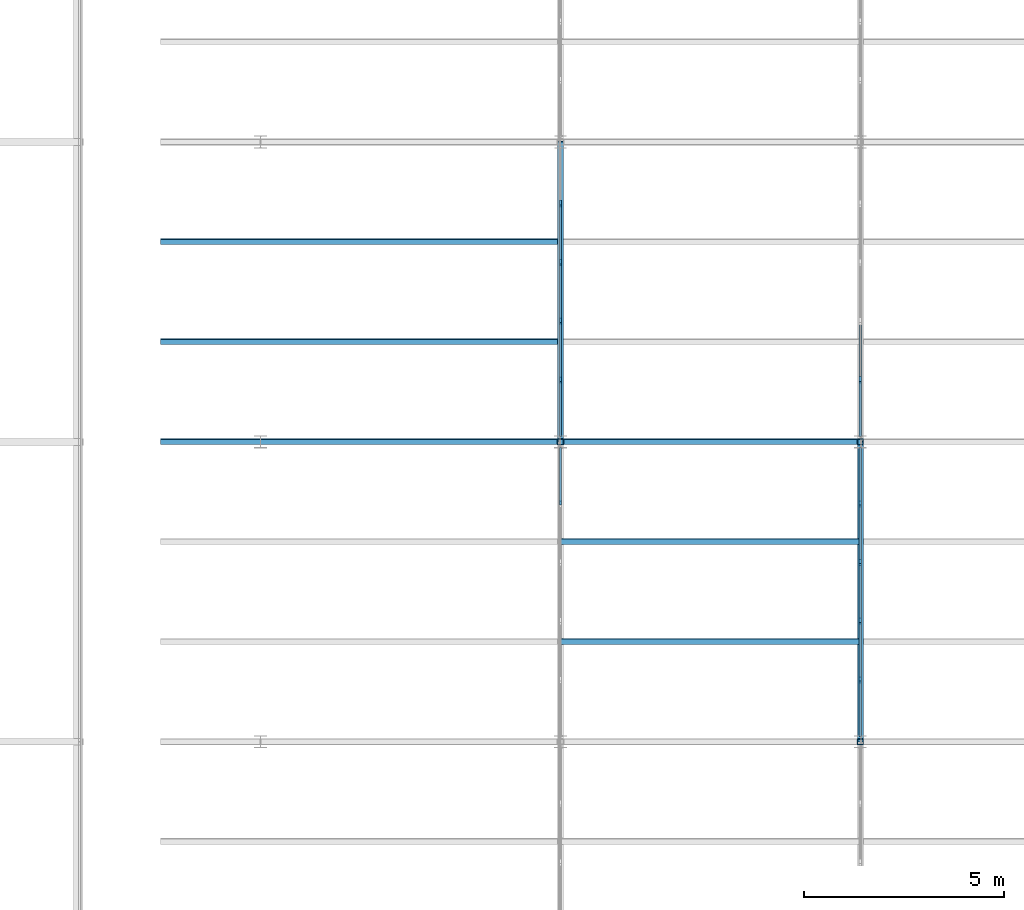
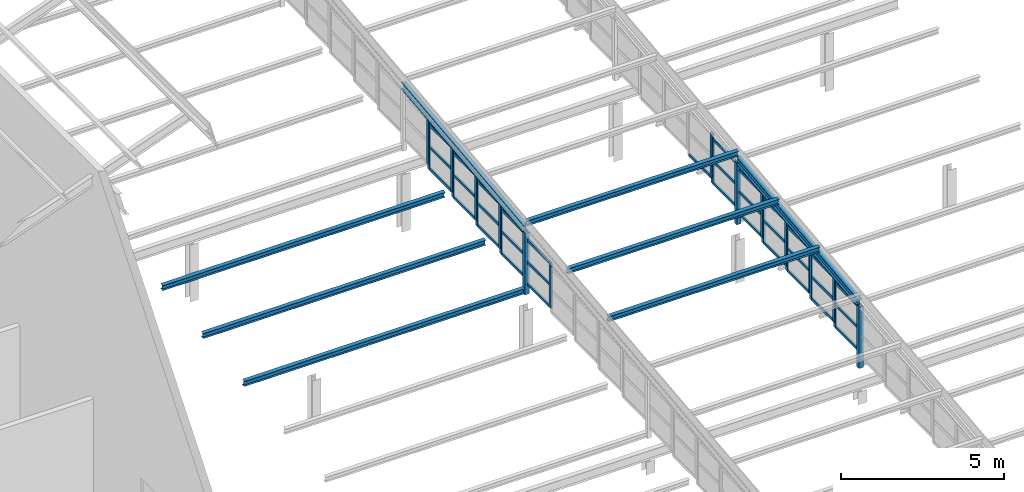
# One storey, part 56 of 483: 62 members, 2 beams, 13 elements without a shape of their own.
"""IFC4 building model written with IfcOpenShell, lengths in metres."""

from ifc_helpers import new_model, si_unit, direction, frame, origin, origin_2d, place, context, subcontext, project, spatial, rectangle, hollow_rectangle, i_section, extrude, material, material_profile, profile_set, type_object, element, aggregate, save


model = new_model("IFC4")

# Units and contexts
model_context = context("Model", 3, precision=1e-05, world=origin(), true_north=direction((0.0, 1.0)))
body_context = subcontext(model_context, "Body", "Model", "MODEL_VIEW")
ifc_project = project(units=[si_unit("LENGTHUNIT", "METRE"), si_unit("AREAUNIT", "SQUARE_METRE"), si_unit("VOLUMEUNIT", "CUBIC_METRE"), si_unit("PLANEANGLEUNIT", "RADIAN"), si_unit("MASSUNIT", "GRAM", prefix="KILO")], contexts=[model_context])

# Site, building, storey
site_placement = place(None, origin())
site = spatial("IfcSite", under=ifc_project, at=site_placement, CompositionType="ELEMENT")
building_placement = place(site_placement, origin())
building = spatial("IfcBuilding", under=site, at=building_placement, Name="Parallax Yard Mobility Hub", CompositionType="ELEMENT")
storey_placement = place(building_placement, frame((0.0, 0.0, 13.199951171875)))
storey = spatial("IfcBuildingStorey", under=building, at=storey_placement, Name="L04", CompositionType="ELEMENT", Elevation=13.199951171875)

# Beams
ifc_material_1 = material(Name="Steel ASTM A992", Category="steel")
ifc_material_profile_1 = material_profile(ifc_material_1, i_section(OverallWidth=0.14794921875, OverallDepth=0.26611328125, WebThickness=0.007568359375, FlangeThickness=0.012939453125, at=origin_2d()), Name="W250x45")
ifc_profile_set_1 = profile_set([ifc_material_profile_1], Name="Steel ASTM A992")
beam_type = type_object("IfcBeamType", Name="Monitor girder W250x45", PredefinedType="BEAM", material=ifc_profile_set_1)
for number, where, z_axis, x_axis, name in (
    (1, (157.5, 30.0146484375, 4.516357421875), (0.0, 0.993881367159, 0.110452831624), (-1.0, 0.0, 0.0), "Monitor girder at x 157.5 bay 4"),
    (2, (165.0, 22.5146484375, 3.68310546875), (0.0, 0.993884918264, 0.110420873243), (-1.0, 0.0, 0.0), "Monitor girder at x 165 bay 3"),
):
    element("IfcBeam", number, at=place(storey_placement, frame(where, z_axis=z_axis, x_axis=x_axis)), inside=storey, type_object=beam_type, Name=name, PredefinedType="BEAM", context=body_context, shape_type="SweptSolid", body=[
        extrude(i_section(OverallWidth=0.14794921875, OverallDepth=0.26611328125, WebThickness=0.007568359375, FlangeThickness=0.012939453125, at=origin_2d()), origin(), (0.0, 0.0, 1.0), 7.546142578125),
    ])

# Members
ifc_material_2 = material(Name="Steel ASTM A500 Gr C", Category="steel")
ifc_material_profile_2 = material_profile(ifc_material_2, hollow_rectangle(XDim=0.15234375, YDim=0.15234375, WallThickness=0.009521484375, at=origin_2d()), Name="HSS152x152x9.5")
ifc_profile_set_2 = profile_set([ifc_material_profile_2], Name="Steel ASTM A500 Gr C")
member_type_1 = type_object("IfcMemberType", Name="Monitor post HSS152x152x9.5", PredefinedType="POST", material=ifc_profile_set_2)
member_1_placement = place(storey_placement, frame((157.5, 30.0, 2.117431640625), z_axis=(0.0, 0.0, 1.0), x_axis=(1.0, 0.0, 0.0)))
element("IfcMember", 3, at=member_1_placement, inside=storey, type_object=member_type_1, Name="Monitor post at x 157.5 y 30", PredefinedType="POST", context=body_context, shape_type="SweptSolid", body=[
    extrude(hollow_rectangle(XDim=0.15234375, YDim=0.15234375, WallThickness=0.009521484375, at=origin_2d()), origin(), (0.0, 0.0, 1.0), 2.295166015625),
])
member_2_placement = place(storey_placement, frame((165.0, 22.5, 1.283935546875), z_axis=(0.0, 0.0, 1.0), x_axis=(1.0, 0.0, 0.0)))
element("IfcMember", 4, at=member_2_placement, inside=storey, type_object=member_type_1, Name="Monitor post at x 165 y 22.5", PredefinedType="POST", context=body_context, shape_type="SweptSolid", body=[
    extrude(hollow_rectangle(XDim=0.15234375, YDim=0.15234375, WallThickness=0.009521484375, at=origin_2d()), origin(), (0.0, 0.0, 1.0), 2.29541015625),
])
member_3_placement = place(storey_placement, frame((165.0, 30.0, 2.117431640625), z_axis=(0.0, 0.0, 1.0), x_axis=(1.0, 0.0, 0.0)))
element("IfcMember", 5, at=member_3_placement, inside=storey, type_object=member_type_1, Name="Monitor post at x 165 y 30", PredefinedType="POST", context=body_context, shape_type="SweptSolid", body=[
    extrude(hollow_rectangle(XDim=0.15234375, YDim=0.15234375, WallThickness=0.009521484375, at=origin_2d()), origin(), (0.0, 0.0, 1.0), 2.295166015625),
])

# Curtain wall, member
ifc_material_3 = material(Name="Thermally broken aluminium curtain wall system", Category="aluminium")
curtain_wall_type = type_object("IfcCurtainWallType", Name="Clerestory glazing run 60 x 120 frame", PredefinedType="NOTDEFINED", material=ifc_material_3)
curtain_wall_1_placement = place(storey_placement, origin())
curtain_wall_1 = element("IfcCurtainWall", 6, at=curtain_wall_1_placement, inside=storey, type_object=curtain_wall_type, Name="Clerestory glazing run Bicycle and shared-mobility hall roof step 1 bay 3 level L02", PredefinedType="NOTDEFINED")
ifc_material_4 = material(Name="Extruded aluminium", Category="aluminium")
ifc_material_profile_3 = material_profile(ifc_material_4, rectangle(XDim=0.06005859375, YDim=0.1201171875, at=origin_2d()), Name="Mullion 60 x 120")
ifc_profile_set_3 = profile_set([ifc_material_profile_3], Name="Extruded aluminium")
member_type_2 = type_object("IfcMemberType", Name="Mullion 60 x 120", PredefinedType="MULLION", material=ifc_profile_set_3)
member_4_placement = place(storey_placement, frame((157.5, 28.484375, 2.508056640625), z_axis=(0.0, 0.0, 1.0), x_axis=(-1.0, 0.0, 0.0)))
member_4 = element("IfcMember", 7, at=member_4_placement, type_object=member_type_2, Name="CW4 mullion 1", PredefinedType="MULLION", context=body_context, shape_type="SweptSolid", body=[
    extrude(rectangle(XDim=0.06005859375, YDim=0.1201171875, at=origin_2d()), origin(), (0.0, 0.0, 1.0), 1.69677734375),
])

curtain_wall_2_placement = place(storey_placement, origin())
curtain_wall_2 = element("IfcCurtainWall", 8, at=curtain_wall_2_placement, inside=storey, type_object=curtain_wall_type, Name="Clerestory glazing run Bicycle and shared-mobility hall roof step 1 bay 4 level L02", PredefinedType="NOTDEFINED")
member_5_placement = place(storey_placement, frame((157.5, 31.515625, 2.688232421875), z_axis=(0.0, 0.0, 1.0), x_axis=(-1.0, 0.0, 0.0)))
member_5 = element("IfcMember", 9, at=member_5_placement, type_object=member_type_2, Name="CW4 mullion 2", PredefinedType="MULLION", context=body_context, shape_type="SweptSolid", body=[
    extrude(rectangle(XDim=0.06005859375, YDim=0.1201171875, at=origin_2d()), origin(), (0.0, 0.0, 1.0), 1.6943359375),
])

# Curtain wall, members
curtain_wall_3_placement = place(storey_placement, origin())
curtain_wall_3 = element("IfcCurtainWall", 10, at=curtain_wall_3_placement, inside=storey, type_object=curtain_wall_type, Name="Clerestory glazing run Bicycle and shared-mobility hall roof step 1 bay 4 level L02", PredefinedType="NOTDEFINED")
member_6_placement = place(storey_placement, frame((157.5, 31.57568359375, 2.8515625), z_axis=(0.0, 0.0, 1.0), x_axis=(-1.0, 0.0, 0.0)))
member_6 = element("IfcMember", 11, at=member_6_placement, type_object=member_type_2, Name="CW4 mullion 1", PredefinedType="MULLION", context=body_context, shape_type="SweptSolid", body=[
    extrude(rectangle(XDim=0.06005859375, YDim=0.1201171875, at=origin_2d()), origin(), (0.0, 0.0, 1.0), 1.69775390625),
])
member_7_placement = place(storey_placement, frame((157.5, 32.985107421875, 2.8515625), z_axis=(0.0, 0.0, 1.0), x_axis=(-1.0, 0.0, 0.0)))
member_7 = element("IfcMember", 12, at=member_7_placement, type_object=member_type_2, Name="CW4 mullion 2", PredefinedType="MULLION", context=body_context, shape_type="SweptSolid", body=[
    extrude(rectangle(XDim=0.06005859375, YDim=0.1201171875, at=origin_2d()), origin(), (0.0, 0.0, 1.0), 1.69775390625),
])

curtain_wall_4_placement = place(storey_placement, origin())
curtain_wall_4 = element("IfcCurtainWall", 13, at=curtain_wall_4_placement, inside=storey, type_object=curtain_wall_type, Name="Clerestory glazing run Bicycle and shared-mobility hall roof step 1 bay 4 level L02", PredefinedType="NOTDEFINED")
member_8_placement = place(storey_placement, frame((157.5, 33.045166015625, 3.014892578125), z_axis=(0.0, 0.0, 1.0), x_axis=(-1.0, 0.0, 0.0)))
member_8 = element("IfcMember", 14, at=member_8_placement, type_object=member_type_2, Name="CW4 mullion 1", PredefinedType="MULLION", context=body_context, shape_type="SweptSolid", body=[
    extrude(rectangle(XDim=0.06005859375, YDim=0.1201171875, at=origin_2d()), origin(), (0.0, 0.0, 1.0), 1.700927734375),
])
member_9_placement = place(storey_placement, frame((157.5, 34.454833984375, 3.014892578125), z_axis=(0.0, 0.0, 1.0), x_axis=(-1.0, 0.0, 0.0)))
member_9 = element("IfcMember", 15, at=member_9_placement, type_object=member_type_2, Name="CW4 mullion 2", PredefinedType="MULLION", context=body_context, shape_type="SweptSolid", body=[
    extrude(rectangle(XDim=0.06005859375, YDim=0.1201171875, at=origin_2d()), origin(), (0.0, 0.0, 1.0), 1.700927734375),
])

curtain_wall_5_placement = place(storey_placement, origin())
curtain_wall_5 = element("IfcCurtainWall", 16, at=curtain_wall_5_placement, inside=storey, type_object=curtain_wall_type, Name="Clerestory glazing run Bicycle and shared-mobility hall roof step 1 bay 4 level L02", PredefinedType="NOTDEFINED")
member_10_placement = place(storey_placement, frame((157.5, 34.514892578125, 3.17822265625), z_axis=(0.0, 0.0, 1.0), x_axis=(-1.0, 0.0, 0.0)))
member_10 = element("IfcMember", 17, at=member_10_placement, type_object=member_type_2, Name="CW4 mullion 1", PredefinedType="MULLION", context=body_context, shape_type="SweptSolid", body=[
    extrude(rectangle(XDim=0.06005859375, YDim=0.1201171875, at=origin_2d()), origin(), (0.0, 0.0, 1.0), 1.693115234375),
])
member_11_placement = place(storey_placement, frame((157.5, 35.92431640625, 3.17822265625), z_axis=(0.0, 0.0, 1.0), x_axis=(-1.0, 0.0, 0.0)))
member_11 = element("IfcMember", 18, at=member_11_placement, type_object=member_type_2, Name="CW4 mullion 2", PredefinedType="MULLION", context=body_context, shape_type="SweptSolid", body=[
    extrude(rectangle(XDim=0.06005859375, YDim=0.1201171875, at=origin_2d()), origin(), (0.0, 0.0, 1.0), 1.693115234375),
])

# Curtain wall, member
curtain_wall_6_placement = place(storey_placement, origin())
curtain_wall_6 = element("IfcCurtainWall", 19, at=curtain_wall_6_placement, inside=storey, type_object=curtain_wall_type, Name="Clerestory glazing run Bicycle and shared-mobility hall roof step 1 bay 4 level L02", PredefinedType="NOTDEFINED")
member_12_placement = place(storey_placement, frame((157.5, 35.984375, 3.341552734375), z_axis=(0.0, 0.0, 1.0), x_axis=(-1.0, 0.0, 0.0)))
member_12 = element("IfcMember", 20, at=member_12_placement, type_object=member_type_2, Name="CW4 mullion 1", PredefinedType="MULLION", context=body_context, shape_type="SweptSolid", body=[
    extrude(rectangle(XDim=0.06005859375, YDim=0.1201171875, at=origin_2d()), origin(), (0.0, 0.0, 1.0), 1.696533203125),
])
aggregate(curtain_wall_6, [member_12])

curtain_wall_7_placement = place(storey_placement, origin())
curtain_wall_7 = element("IfcCurtainWall", 21, at=curtain_wall_7_placement, inside=storey, type_object=curtain_wall_type, Name="Clerestory glazing run Bicycle and shared-mobility hall roof step 2 bay 3 level L02", PredefinedType="NOTDEFINED")
member_13_placement = place(storey_placement, frame((165.0, 24.015625, 1.85498046875), z_axis=(0.0, 0.0, 1.0), x_axis=(-1.0, 0.0, 0.0)))
member_13 = element("IfcMember", 22, at=member_13_placement, type_object=member_type_2, Name="CW4 mullion 2", PredefinedType="MULLION", context=body_context, shape_type="SweptSolid", body=[
    extrude(rectangle(XDim=0.06005859375, YDim=0.1201171875, at=origin_2d()), origin(), (0.0, 0.0, 1.0), 1.6943359375),
])

# Curtain wall, members
curtain_wall_8_placement = place(storey_placement, origin())
curtain_wall_8 = element("IfcCurtainWall", 23, at=curtain_wall_8_placement, inside=storey, type_object=curtain_wall_type, Name="Clerestory glazing run Bicycle and shared-mobility hall roof step 2 bay 3 level L02", PredefinedType="NOTDEFINED")
member_14_placement = place(storey_placement, frame((165.0, 24.07568359375, 2.018310546875), z_axis=(0.0, 0.0, 1.0), x_axis=(-1.0, 0.0, 0.0)))
member_14 = element("IfcMember", 24, at=member_14_placement, type_object=member_type_2, Name="CW4 mullion 1", PredefinedType="MULLION", context=body_context, shape_type="SweptSolid", body=[
    extrude(rectangle(XDim=0.06005859375, YDim=0.1201171875, at=origin_2d()), origin(), (0.0, 0.0, 1.0), 1.697509765625),
])
member_15_placement = place(storey_placement, frame((165.0, 25.485107421875, 2.018310546875), z_axis=(0.0, 0.0, 1.0), x_axis=(-1.0, 0.0, 0.0)))
member_15 = element("IfcMember", 25, at=member_15_placement, type_object=member_type_2, Name="CW4 mullion 2", PredefinedType="MULLION", context=body_context, shape_type="SweptSolid", body=[
    extrude(rectangle(XDim=0.06005859375, YDim=0.1201171875, at=origin_2d()), origin(), (0.0, 0.0, 1.0), 1.697509765625),
])

curtain_wall_9_placement = place(storey_placement, origin())
curtain_wall_9 = element("IfcCurtainWall", 26, at=curtain_wall_9_placement, inside=storey, type_object=curtain_wall_type, Name="Clerestory glazing run Bicycle and shared-mobility hall roof step 2 bay 3 level L02", PredefinedType="NOTDEFINED")
member_16_placement = place(storey_placement, frame((165.0, 25.545166015625, 2.181640625), z_axis=(0.0, 0.0, 1.0), x_axis=(-1.0, 0.0, 0.0)))
member_16 = element("IfcMember", 27, at=member_16_placement, type_object=member_type_2, Name="CW4 mullion 1", PredefinedType="MULLION", context=body_context, shape_type="SweptSolid", body=[
    extrude(rectangle(XDim=0.06005859375, YDim=0.1201171875, at=origin_2d()), origin(), (0.0, 0.0, 1.0), 1.700927734375),
])
member_17_placement = place(storey_placement, frame((165.0, 26.954833984375, 2.181640625), z_axis=(0.0, 0.0, 1.0), x_axis=(-1.0, 0.0, 0.0)))
member_17 = element("IfcMember", 28, at=member_17_placement, type_object=member_type_2, Name="CW4 mullion 2", PredefinedType="MULLION", context=body_context, shape_type="SweptSolid", body=[
    extrude(rectangle(XDim=0.06005859375, YDim=0.1201171875, at=origin_2d()), origin(), (0.0, 0.0, 1.0), 1.700927734375),
])

curtain_wall_10_placement = place(storey_placement, origin())
curtain_wall_10 = element("IfcCurtainWall", 29, at=curtain_wall_10_placement, inside=storey, type_object=curtain_wall_type, Name="Clerestory glazing run Bicycle and shared-mobility hall roof step 2 bay 3 level L02", PredefinedType="NOTDEFINED")
member_18_placement = place(storey_placement, frame((165.0, 27.014892578125, 2.344970703125), z_axis=(0.0, 0.0, 1.0), x_axis=(-1.0, 0.0, 0.0)))
member_18 = element("IfcMember", 30, at=member_18_placement, type_object=member_type_2, Name="CW4 mullion 1", PredefinedType="MULLION", context=body_context, shape_type="SweptSolid", body=[
    extrude(rectangle(XDim=0.06005859375, YDim=0.1201171875, at=origin_2d()), origin(), (0.0, 0.0, 1.0), 1.693115234375),
])
member_19_placement = place(storey_placement, frame((165.0, 28.42431640625, 2.344970703125), z_axis=(0.0, 0.0, 1.0), x_axis=(-1.0, 0.0, 0.0)))
member_19 = element("IfcMember", 31, at=member_19_placement, type_object=member_type_2, Name="CW4 mullion 2", PredefinedType="MULLION", context=body_context, shape_type="SweptSolid", body=[
    extrude(rectangle(XDim=0.06005859375, YDim=0.1201171875, at=origin_2d()), origin(), (0.0, 0.0, 1.0), 1.693115234375),
])

# Curtain wall, member
curtain_wall_11_placement = place(storey_placement, origin())
curtain_wall_11 = element("IfcCurtainWall", 32, at=curtain_wall_11_placement, inside=storey, type_object=curtain_wall_type, Name="Clerestory glazing run Bicycle and shared-mobility hall roof step 2 bay 3 level L02", PredefinedType="NOTDEFINED")
member_20_placement = place(storey_placement, frame((165.0, 28.484375, 2.508056640625), z_axis=(0.0, 0.0, 1.0), x_axis=(-1.0, 0.0, 0.0)))
member_20 = element("IfcMember", 33, at=member_20_placement, type_object=member_type_2, Name="CW4 mullion 1", PredefinedType="MULLION", context=body_context, shape_type="SweptSolid", body=[
    extrude(rectangle(XDim=0.06005859375, YDim=0.1201171875, at=origin_2d()), origin(), (0.0, 0.0, 1.0), 1.69677734375),
])

curtain_wall_12_placement = place(storey_placement, origin())
curtain_wall_12 = element("IfcCurtainWall", 34, at=curtain_wall_12_placement, inside=storey, type_object=curtain_wall_type, Name="Clerestory glazing run Bicycle and shared-mobility hall roof step 2 bay 4 level L02", PredefinedType="NOTDEFINED")
member_21_placement = place(storey_placement, frame((165.0, 31.515625, 2.688232421875), z_axis=(0.0, 0.0, 1.0), x_axis=(-1.0, 0.0, 0.0)))
member_21 = element("IfcMember", 35, at=member_21_placement, type_object=member_type_2, Name="CW4 mullion 2", PredefinedType="MULLION", context=body_context, shape_type="SweptSolid", body=[
    extrude(rectangle(XDim=0.06005859375, YDim=0.1201171875, at=origin_2d()), origin(), (0.0, 0.0, 1.0), 1.6943359375),
])

curtain_wall_13_placement = place(storey_placement, origin())
curtain_wall_13 = element("IfcCurtainWall", 36, at=curtain_wall_13_placement, inside=storey, type_object=curtain_wall_type, Name="Clerestory glazing run Bicycle and shared-mobility hall roof step 2 bay 4 level L02", PredefinedType="NOTDEFINED")
member_22_placement = place(storey_placement, frame((165.0, 31.57568359375, 2.8515625), z_axis=(0.0, 0.0, 1.0), x_axis=(-1.0, 0.0, 0.0)))
member_22 = element("IfcMember", 37, at=member_22_placement, type_object=member_type_2, Name="CW4 mullion 1", PredefinedType="MULLION", context=body_context, shape_type="SweptSolid", body=[
    extrude(rectangle(XDim=0.06005859375, YDim=0.1201171875, at=origin_2d()), origin(), (0.0, 0.0, 1.0), 1.69775390625),
])

# Members
ifc_material_profile_4 = material_profile(ifc_material_1, i_section(OverallWidth=0.133056640625, OverallDepth=0.20703125, WebThickness=0.005859375, FlangeThickness=0.00830078125, at=origin_2d()), Name="W200x27")
ifc_profile_set_4 = profile_set([ifc_material_profile_4], Name="Steel ASTM A992")
member_type_3 = type_object("IfcMemberType", Name="Roof purlin W200x27", PredefinedType="PURLIN", material=ifc_profile_set_4)
for number, where, z_axis, x_axis, name in (
    (38, (147.5, 30.011474609375, 2.252685546875), (1.0, 0.0, 0.0), (0.0, 0.993883718765, 0.110431669255), "Roof purlin west of the monitor at y 30"),
    (39, (147.5, 32.511474609375, 2.530517578125), (1.0, 0.0, 0.0), (0.0, 0.993883718765, 0.110431669255), "Roof purlin west of the monitor at y 32.5"),
    (40, (147.5, 35.011474609375, 2.808349609375), (1.0, 0.0, 0.0), (0.0, 0.993883718765, 0.110431669255), "Roof purlin west of the monitor at y 35"),
):
    element("IfcMember", number, at=place(storey_placement, frame(where, z_axis=z_axis, x_axis=x_axis)), inside=storey, type_object=member_type_3, Name=name, PredefinedType="PURLIN", context=body_context, shape_type="SweptSolid", body=[
        extrude(i_section(OverallWidth=0.133056640625, OverallDepth=0.20703125, WebThickness=0.005859375, FlangeThickness=0.00830078125, at=origin_2d()), origin(), (0.0, 0.0, 1.0), 10.0),
    ])
for number, where, z_axis, x_axis, name in (
    (41, (157.5, 25.011474609375, 4.197265625), (1.0, 0.0, 0.0), (0.0, 0.993883718765, 0.110431669255), "Monitor purlin at y 25"),
    (42, (157.5, 27.511474609375, 4.474853515625), (1.0, 0.0, 0.0), (0.0, 0.993883718765, 0.110431669255), "Monitor purlin at y 27.5"),
    (43, (157.5, 30.011474609375, 4.752685546875), (1.0, 0.0, 0.0), (0.0, 0.993883718765, 0.110431669255), "Monitor purlin at y 30"),
):
    element("IfcMember", number, at=place(storey_placement, frame(where, z_axis=z_axis, x_axis=x_axis)), inside=storey, type_object=member_type_3, Name=name, PredefinedType="PURLIN", context=body_context, shape_type="SweptSolid", body=[
        extrude(i_section(OverallWidth=0.133056640625, OverallDepth=0.20703125, WebThickness=0.005859375, FlangeThickness=0.00830078125, at=origin_2d()), origin(), (0.0, 0.0, 1.0), 7.5),
    ])

# Member
ifc_material_profile_5 = material_profile(ifc_material_4, rectangle(XDim=0.06005859375, YDim=0.10009765625, at=origin_2d()), Name="Transom 60 x 100")
ifc_profile_set_5 = profile_set([ifc_material_profile_5], Name="Extruded aluminium")
member_type_4 = type_object("IfcMemberType", Name="Transom 60 x 100", PredefinedType="USERDEFINED", material=ifc_profile_set_5)
member_23_placement = place(storey_placement, frame((157.5, 28.514404296875, 2.5380859375), z_axis=(0.0, 1.0, 0.0), x_axis=(-1.0, 0.0, 0.0)))
member_23 = element("IfcMember", 44, at=member_23_placement, type_object=member_type_4, Name="CW4 transom 1.1", ObjectType="TRANSOM", PredefinedType="USERDEFINED", context=body_context, shape_type="SweptSolid", body=[
    extrude(rectangle(XDim=0.06005859375, YDim=0.10009765625, at=origin_2d()), origin(), (0.0, 0.0, 1.0), 1.349365234375),
])

member_24_placement = place(storey_placement, frame((157.5, 28.514404296875, 3.3564453125), z_axis=(0.0, 1.0, 0.0), x_axis=(-1.0, 0.0, 0.0)))
member_24 = element("IfcMember", 45, at=member_24_placement, type_object=member_type_4, Name="CW4 transom 1.2", ObjectType="TRANSOM", PredefinedType="USERDEFINED", context=body_context, shape_type="SweptSolid", body=[
    extrude(rectangle(XDim=0.06005859375, YDim=0.10009765625, at=origin_2d()), origin(), (0.0, 0.0, 1.0), 1.349365234375),
])

member_25_placement = place(storey_placement, frame((157.5, 28.514404296875, 4.1748046875), z_axis=(0.0, 1.0, 0.0), x_axis=(-1.0, 0.0, 0.0)))
member_25 = element("IfcMember", 46, at=member_25_placement, type_object=member_type_4, Name="CW4 transom 1.3", ObjectType="TRANSOM", PredefinedType="USERDEFINED", context=body_context, shape_type="SweptSolid", body=[
    extrude(rectangle(XDim=0.06005859375, YDim=0.10009765625, at=origin_2d()), origin(), (0.0, 0.0, 1.0), 1.349365234375),
])

aggregate(curtain_wall_1, [member_4, member_23, member_24, member_25])

member_26_placement = place(storey_placement, frame((157.5, 30.13623046875, 2.71826171875), z_axis=(0.0, 1.0, 0.0), x_axis=(-1.0, 0.0, 0.0)))
member_26 = element("IfcMember", 47, at=member_26_placement, type_object=member_type_4, Name="CW4 transom 1.1", ObjectType="TRANSOM", PredefinedType="USERDEFINED", context=body_context, shape_type="SweptSolid", body=[
    extrude(rectangle(XDim=0.06005859375, YDim=0.10009765625, at=origin_2d()), origin(), (0.0, 0.0, 1.0), 1.349365234375),
])

member_27_placement = place(storey_placement, frame((157.5, 30.13623046875, 3.535400390625), z_axis=(0.0, 1.0, 0.0), x_axis=(-1.0, 0.0, 0.0)))
member_27 = element("IfcMember", 48, at=member_27_placement, type_object=member_type_4, Name="CW4 transom 1.2", ObjectType="TRANSOM", PredefinedType="USERDEFINED", context=body_context, shape_type="SweptSolid", body=[
    extrude(rectangle(XDim=0.06005859375, YDim=0.10009765625, at=origin_2d()), origin(), (0.0, 0.0, 1.0), 1.349365234375),
])

member_28_placement = place(storey_placement, frame((157.5, 30.13623046875, 4.3525390625), z_axis=(0.0, 1.0, 0.0), x_axis=(-1.0, 0.0, 0.0)))
member_28 = element("IfcMember", 49, at=member_28_placement, type_object=member_type_4, Name="CW4 transom 1.3", ObjectType="TRANSOM", PredefinedType="USERDEFINED", context=body_context, shape_type="SweptSolid", body=[
    extrude(rectangle(XDim=0.06005859375, YDim=0.10009765625, at=origin_2d()), origin(), (0.0, 0.0, 1.0), 1.349365234375),
])

aggregate(curtain_wall_2, [member_5, member_26, member_27, member_28])

member_29_placement = place(storey_placement, frame((157.5, 31.605712890625, 2.881591796875), z_axis=(0.0, 1.0, 0.0), x_axis=(-1.0, 0.0, 0.0)))
member_29 = element("IfcMember", 50, at=member_29_placement, type_object=member_type_4, Name="CW4 transom 1.1", ObjectType="TRANSOM", PredefinedType="USERDEFINED", context=body_context, shape_type="SweptSolid", body=[
    extrude(rectangle(XDim=0.06005859375, YDim=0.10009765625, at=origin_2d()), origin(), (0.0, 0.0, 1.0), 1.349365234375),
])

member_30_placement = place(storey_placement, frame((157.5, 31.605712890625, 3.700439453125), z_axis=(0.0, 1.0, 0.0), x_axis=(-1.0, 0.0, 0.0)))
member_30 = element("IfcMember", 51, at=member_30_placement, type_object=member_type_4, Name="CW4 transom 1.2", ObjectType="TRANSOM", PredefinedType="USERDEFINED", context=body_context, shape_type="SweptSolid", body=[
    extrude(rectangle(XDim=0.06005859375, YDim=0.10009765625, at=origin_2d()), origin(), (0.0, 0.0, 1.0), 1.349365234375),
])

member_31_placement = place(storey_placement, frame((157.5, 31.605712890625, 4.519287109375), z_axis=(0.0, 1.0, 0.0), x_axis=(-1.0, 0.0, 0.0)))
member_31 = element("IfcMember", 52, at=member_31_placement, type_object=member_type_4, Name="CW4 transom 1.3", ObjectType="TRANSOM", PredefinedType="USERDEFINED", context=body_context, shape_type="SweptSolid", body=[
    extrude(rectangle(XDim=0.06005859375, YDim=0.10009765625, at=origin_2d()), origin(), (0.0, 0.0, 1.0), 1.349365234375),
])

aggregate(curtain_wall_3, [member_6, member_7, member_29, member_30, member_31])

member_32_placement = place(storey_placement, frame((157.5, 33.0751953125, 3.044921875), z_axis=(0.0, 1.0, 0.0), x_axis=(-1.0, 0.0, 0.0)))
member_32 = element("IfcMember", 53, at=member_32_placement, type_object=member_type_4, Name="CW4 transom 1.1", ObjectType="TRANSOM", PredefinedType="USERDEFINED", context=body_context, shape_type="SweptSolid", body=[
    extrude(rectangle(XDim=0.06005859375, YDim=0.10009765625, at=origin_2d()), origin(), (0.0, 0.0, 1.0), 1.349609375),
])

member_33_placement = place(storey_placement, frame((157.5, 33.0751953125, 3.865234375), z_axis=(0.0, 1.0, 0.0), x_axis=(-1.0, 0.0, 0.0)))
member_33 = element("IfcMember", 54, at=member_33_placement, type_object=member_type_4, Name="CW4 transom 1.2", ObjectType="TRANSOM", PredefinedType="USERDEFINED", context=body_context, shape_type="SweptSolid", body=[
    extrude(rectangle(XDim=0.06005859375, YDim=0.10009765625, at=origin_2d()), origin(), (0.0, 0.0, 1.0), 1.349609375),
])

member_34_placement = place(storey_placement, frame((157.5, 33.0751953125, 4.685791015625), z_axis=(0.0, 1.0, 0.0), x_axis=(-1.0, 0.0, 0.0)))
member_34 = element("IfcMember", 55, at=member_34_placement, type_object=member_type_4, Name="CW4 transom 1.3", ObjectType="TRANSOM", PredefinedType="USERDEFINED", context=body_context, shape_type="SweptSolid", body=[
    extrude(rectangle(XDim=0.06005859375, YDim=0.10009765625, at=origin_2d()), origin(), (0.0, 0.0, 1.0), 1.349609375),
])

aggregate(curtain_wall_4, [member_8, member_9, member_32, member_33, member_34])

member_35_placement = place(storey_placement, frame((157.5, 34.544921875, 3.208251953125), z_axis=(0.0, 1.0, 0.0), x_axis=(-1.0, 0.0, 0.0)))
member_35 = element("IfcMember", 56, at=member_35_placement, type_object=member_type_4, Name="CW4 transom 1.1", ObjectType="TRANSOM", PredefinedType="USERDEFINED", context=body_context, shape_type="SweptSolid", body=[
    extrude(rectangle(XDim=0.06005859375, YDim=0.10009765625, at=origin_2d()), origin(), (0.0, 0.0, 1.0), 1.349365234375),
])

member_36_placement = place(storey_placement, frame((157.5, 34.544921875, 4.02490234375), z_axis=(0.0, 1.0, 0.0), x_axis=(-1.0, 0.0, 0.0)))
member_36 = element("IfcMember", 57, at=member_36_placement, type_object=member_type_4, Name="CW4 transom 1.2", ObjectType="TRANSOM", PredefinedType="USERDEFINED", context=body_context, shape_type="SweptSolid", body=[
    extrude(rectangle(XDim=0.06005859375, YDim=0.10009765625, at=origin_2d()), origin(), (0.0, 0.0, 1.0), 1.349365234375),
])

member_37_placement = place(storey_placement, frame((157.5, 34.544921875, 4.841552734375), z_axis=(0.0, 1.0, 0.0), x_axis=(-1.0, 0.0, 0.0)))
member_37 = element("IfcMember", 58, at=member_37_placement, type_object=member_type_4, Name="CW4 transom 1.3", ObjectType="TRANSOM", PredefinedType="USERDEFINED", context=body_context, shape_type="SweptSolid", body=[
    extrude(rectangle(XDim=0.06005859375, YDim=0.10009765625, at=origin_2d()), origin(), (0.0, 0.0, 1.0), 1.349365234375),
])

aggregate(curtain_wall_5, [member_10, member_11, member_35, member_36, member_37])

member_38_placement = place(storey_placement, frame((165.0, 22.63623046875, 1.885009765625), z_axis=(0.0, 1.0, 0.0), x_axis=(-1.0, 0.0, 0.0)))
member_38 = element("IfcMember", 59, at=member_38_placement, type_object=member_type_4, Name="CW4 transom 1.1", ObjectType="TRANSOM", PredefinedType="USERDEFINED", context=body_context, shape_type="SweptSolid", body=[
    extrude(rectangle(XDim=0.06005859375, YDim=0.10009765625, at=origin_2d()), origin(), (0.0, 0.0, 1.0), 1.349365234375),
])

member_39_placement = place(storey_placement, frame((165.0, 22.63623046875, 2.7021484375), z_axis=(0.0, 1.0, 0.0), x_axis=(-1.0, 0.0, 0.0)))
member_39 = element("IfcMember", 60, at=member_39_placement, type_object=member_type_4, Name="CW4 transom 1.2", ObjectType="TRANSOM", PredefinedType="USERDEFINED", context=body_context, shape_type="SweptSolid", body=[
    extrude(rectangle(XDim=0.06005859375, YDim=0.10009765625, at=origin_2d()), origin(), (0.0, 0.0, 1.0), 1.349365234375),
])

member_40_placement = place(storey_placement, frame((165.0, 22.63623046875, 3.519287109375), z_axis=(0.0, 1.0, 0.0), x_axis=(-1.0, 0.0, 0.0)))
member_40 = element("IfcMember", 61, at=member_40_placement, type_object=member_type_4, Name="CW4 transom 1.3", ObjectType="TRANSOM", PredefinedType="USERDEFINED", context=body_context, shape_type="SweptSolid", body=[
    extrude(rectangle(XDim=0.06005859375, YDim=0.10009765625, at=origin_2d()), origin(), (0.0, 0.0, 1.0), 1.349365234375),
])

aggregate(curtain_wall_7, [member_13, member_38, member_39, member_40])

member_41_placement = place(storey_placement, frame((165.0, 24.105712890625, 2.04833984375), z_axis=(0.0, 1.0, 0.0), x_axis=(-1.0, 0.0, 0.0)))
member_41 = element("IfcMember", 62, at=member_41_placement, type_object=member_type_4, Name="CW4 transom 1.1", ObjectType="TRANSOM", PredefinedType="USERDEFINED", context=body_context, shape_type="SweptSolid", body=[
    extrude(rectangle(XDim=0.06005859375, YDim=0.10009765625, at=origin_2d()), origin(), (0.0, 0.0, 1.0), 1.349365234375),
])

member_42_placement = place(storey_placement, frame((165.0, 24.105712890625, 2.866943359375), z_axis=(0.0, 1.0, 0.0), x_axis=(-1.0, 0.0, 0.0)))
member_42 = element("IfcMember", 63, at=member_42_placement, type_object=member_type_4, Name="CW4 transom 1.2", ObjectType="TRANSOM", PredefinedType="USERDEFINED", context=body_context, shape_type="SweptSolid", body=[
    extrude(rectangle(XDim=0.06005859375, YDim=0.10009765625, at=origin_2d()), origin(), (0.0, 0.0, 1.0), 1.349365234375),
])

member_43_placement = place(storey_placement, frame((165.0, 24.105712890625, 3.685791015625), z_axis=(0.0, 1.0, 0.0), x_axis=(-1.0, 0.0, 0.0)))
member_43 = element("IfcMember", 64, at=member_43_placement, type_object=member_type_4, Name="CW4 transom 1.3", ObjectType="TRANSOM", PredefinedType="USERDEFINED", context=body_context, shape_type="SweptSolid", body=[
    extrude(rectangle(XDim=0.06005859375, YDim=0.10009765625, at=origin_2d()), origin(), (0.0, 0.0, 1.0), 1.349365234375),
])

aggregate(curtain_wall_8, [member_14, member_15, member_41, member_42, member_43])

member_44_placement = place(storey_placement, frame((165.0, 25.5751953125, 2.211669921875), z_axis=(0.0, 1.0, 0.0), x_axis=(-1.0, 0.0, 0.0)))
member_44 = element("IfcMember", 65, at=member_44_placement, type_object=member_type_4, Name="CW4 transom 1.1", ObjectType="TRANSOM", PredefinedType="USERDEFINED", context=body_context, shape_type="SweptSolid", body=[
    extrude(rectangle(XDim=0.06005859375, YDim=0.10009765625, at=origin_2d()), origin(), (0.0, 0.0, 1.0), 1.349609375),
])

member_45_placement = place(storey_placement, frame((165.0, 25.5751953125, 3.031982421875), z_axis=(0.0, 1.0, 0.0), x_axis=(-1.0, 0.0, 0.0)))
member_45 = element("IfcMember", 66, at=member_45_placement, type_object=member_type_4, Name="CW4 transom 1.2", ObjectType="TRANSOM", PredefinedType="USERDEFINED", context=body_context, shape_type="SweptSolid", body=[
    extrude(rectangle(XDim=0.06005859375, YDim=0.10009765625, at=origin_2d()), origin(), (0.0, 0.0, 1.0), 1.349609375),
])

member_46_placement = place(storey_placement, frame((165.0, 25.5751953125, 3.8525390625), z_axis=(0.0, 1.0, 0.0), x_axis=(-1.0, 0.0, 0.0)))
member_46 = element("IfcMember", 67, at=member_46_placement, type_object=member_type_4, Name="CW4 transom 1.3", ObjectType="TRANSOM", PredefinedType="USERDEFINED", context=body_context, shape_type="SweptSolid", body=[
    extrude(rectangle(XDim=0.06005859375, YDim=0.10009765625, at=origin_2d()), origin(), (0.0, 0.0, 1.0), 1.349609375),
])

aggregate(curtain_wall_9, [member_16, member_17, member_44, member_45, member_46])

member_47_placement = place(storey_placement, frame((165.0, 27.044921875, 2.374755859375), z_axis=(0.0, 1.0, 0.0), x_axis=(-1.0, 0.0, 0.0)))
member_47 = element("IfcMember", 68, at=member_47_placement, type_object=member_type_4, Name="CW4 transom 1.1", ObjectType="TRANSOM", PredefinedType="USERDEFINED", context=body_context, shape_type="SweptSolid", body=[
    extrude(rectangle(XDim=0.06005859375, YDim=0.10009765625, at=origin_2d()), origin(), (0.0, 0.0, 1.0), 1.349365234375),
])

member_48_placement = place(storey_placement, frame((165.0, 27.044921875, 3.19140625), z_axis=(0.0, 1.0, 0.0), x_axis=(-1.0, 0.0, 0.0)))
member_48 = element("IfcMember", 69, at=member_48_placement, type_object=member_type_4, Name="CW4 transom 1.2", ObjectType="TRANSOM", PredefinedType="USERDEFINED", context=body_context, shape_type="SweptSolid", body=[
    extrude(rectangle(XDim=0.06005859375, YDim=0.10009765625, at=origin_2d()), origin(), (0.0, 0.0, 1.0), 1.349365234375),
])

member_49_placement = place(storey_placement, frame((165.0, 27.044921875, 4.008056640625), z_axis=(0.0, 1.0, 0.0), x_axis=(-1.0, 0.0, 0.0)))
member_49 = element("IfcMember", 70, at=member_49_placement, type_object=member_type_4, Name="CW4 transom 1.3", ObjectType="TRANSOM", PredefinedType="USERDEFINED", context=body_context, shape_type="SweptSolid", body=[
    extrude(rectangle(XDim=0.06005859375, YDim=0.10009765625, at=origin_2d()), origin(), (0.0, 0.0, 1.0), 1.349365234375),
])

aggregate(curtain_wall_10, [member_18, member_19, member_47, member_48, member_49])

member_50_placement = place(storey_placement, frame((165.0, 28.514404296875, 2.5380859375), z_axis=(0.0, 1.0, 0.0), x_axis=(-1.0, 0.0, 0.0)))
member_50 = element("IfcMember", 71, at=member_50_placement, type_object=member_type_4, Name="CW4 transom 1.1", ObjectType="TRANSOM", PredefinedType="USERDEFINED", context=body_context, shape_type="SweptSolid", body=[
    extrude(rectangle(XDim=0.06005859375, YDim=0.10009765625, at=origin_2d()), origin(), (0.0, 0.0, 1.0), 1.349365234375),
])

member_51_placement = place(storey_placement, frame((165.0, 28.514404296875, 3.3564453125), z_axis=(0.0, 1.0, 0.0), x_axis=(-1.0, 0.0, 0.0)))
member_51 = element("IfcMember", 72, at=member_51_placement, type_object=member_type_4, Name="CW4 transom 1.2", ObjectType="TRANSOM", PredefinedType="USERDEFINED", context=body_context, shape_type="SweptSolid", body=[
    extrude(rectangle(XDim=0.06005859375, YDim=0.10009765625, at=origin_2d()), origin(), (0.0, 0.0, 1.0), 1.349365234375),
])

member_52_placement = place(storey_placement, frame((165.0, 28.514404296875, 4.1748046875), z_axis=(0.0, 1.0, 0.0), x_axis=(-1.0, 0.0, 0.0)))
member_52 = element("IfcMember", 73, at=member_52_placement, type_object=member_type_4, Name="CW4 transom 1.3", ObjectType="TRANSOM", PredefinedType="USERDEFINED", context=body_context, shape_type="SweptSolid", body=[
    extrude(rectangle(XDim=0.06005859375, YDim=0.10009765625, at=origin_2d()), origin(), (0.0, 0.0, 1.0), 1.349365234375),
])

aggregate(curtain_wall_11, [member_20, member_50, member_51, member_52])

member_53_placement = place(storey_placement, frame((165.0, 30.13623046875, 2.71826171875), z_axis=(0.0, 1.0, 0.0), x_axis=(-1.0, 0.0, 0.0)))
member_53 = element("IfcMember", 74, at=member_53_placement, type_object=member_type_4, Name="CW4 transom 1.1", ObjectType="TRANSOM", PredefinedType="USERDEFINED", context=body_context, shape_type="SweptSolid", body=[
    extrude(rectangle(XDim=0.06005859375, YDim=0.10009765625, at=origin_2d()), origin(), (0.0, 0.0, 1.0), 1.349365234375),
])

member_54_placement = place(storey_placement, frame((165.0, 30.13623046875, 3.535400390625), z_axis=(0.0, 1.0, 0.0), x_axis=(-1.0, 0.0, 0.0)))
member_54 = element("IfcMember", 75, at=member_54_placement, type_object=member_type_4, Name="CW4 transom 1.2", ObjectType="TRANSOM", PredefinedType="USERDEFINED", context=body_context, shape_type="SweptSolid", body=[
    extrude(rectangle(XDim=0.06005859375, YDim=0.10009765625, at=origin_2d()), origin(), (0.0, 0.0, 1.0), 1.349365234375),
])

member_55_placement = place(storey_placement, frame((165.0, 30.13623046875, 4.3525390625), z_axis=(0.0, 1.0, 0.0), x_axis=(-1.0, 0.0, 0.0)))
member_55 = element("IfcMember", 76, at=member_55_placement, type_object=member_type_4, Name="CW4 transom 1.3", ObjectType="TRANSOM", PredefinedType="USERDEFINED", context=body_context, shape_type="SweptSolid", body=[
    extrude(rectangle(XDim=0.06005859375, YDim=0.10009765625, at=origin_2d()), origin(), (0.0, 0.0, 1.0), 1.349365234375),
])

aggregate(curtain_wall_12, [member_21, member_53, member_54, member_55])

member_56_placement = place(storey_placement, frame((165.0, 31.605712890625, 2.881591796875), z_axis=(0.0, 1.0, 0.0), x_axis=(-1.0, 0.0, 0.0)))
member_56 = element("IfcMember", 77, at=member_56_placement, type_object=member_type_4, Name="CW4 transom 1.1", ObjectType="TRANSOM", PredefinedType="USERDEFINED", context=body_context, shape_type="SweptSolid", body=[
    extrude(rectangle(XDim=0.06005859375, YDim=0.10009765625, at=origin_2d()), origin(), (0.0, 0.0, 1.0), 1.349365234375),
])

aggregate(curtain_wall_13, [member_22, member_56])

save(model, "model.ifc")
